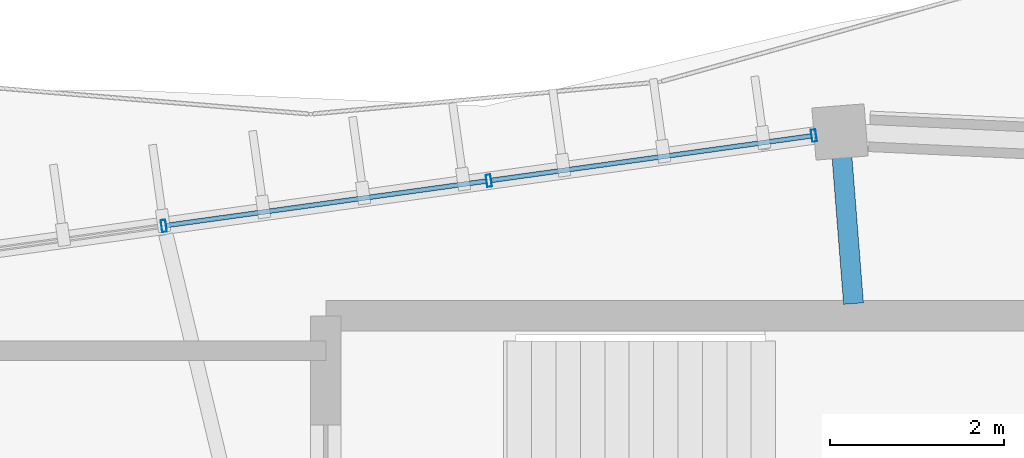
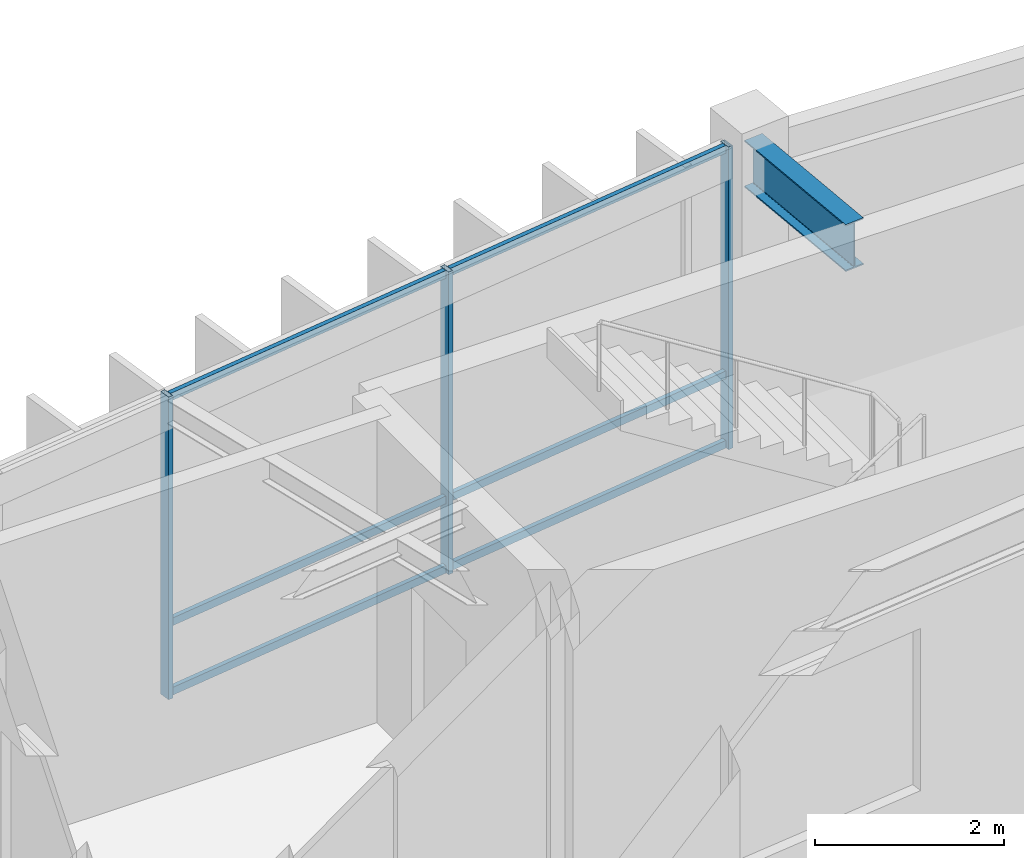
# One storey, part 44 of 83: 9 members, 1 beam, 1 element without a shape of its own.
"""IFC4 building model written with IfcOpenShell, lengths in metres."""

from ifc_helpers import new_model, si_unit, direction, frame, origin, origin_2d, place, context, subcontext, project, spatial, hollow_rectangle, i_section, extrude, material, material_profile, profile_set, type_object, element, aggregate, save


model = new_model("IFC4")

# Units and contexts
model_context = context("Model", 3, precision=1e-05, world=origin(), true_north=direction((0.0, 1.0)))
body_context = subcontext(model_context, "Body", "Model", "MODEL_VIEW")
ifc_project = project(units=[si_unit("LENGTHUNIT", "METRE"), si_unit("AREAUNIT", "SQUARE_METRE"), si_unit("VOLUMEUNIT", "CUBIC_METRE"), si_unit("PLANEANGLEUNIT", "RADIAN"), si_unit("MASSUNIT", "GRAM", prefix="KILO"), si_unit("THERMODYNAMICTEMPERATUREUNIT", "KELVIN"), si_unit("POWERUNIT", "WATT")], contexts=[model_context])

# Site, building, storey
site_placement = place(None, origin())
site = spatial("IfcSite", under=ifc_project, at=site_placement, CompositionType="ELEMENT")
building_placement = place(site_placement, origin())
building = spatial("IfcBuilding", under=site, at=building_placement, Name="Darbajah Civic Hall", CompositionType="ELEMENT")
storey_placement = place(building_placement, frame((0.0, 0.0, 18.0)))
storey = spatial("IfcBuildingStorey", under=building, at=storey_placement, Name="L04", CompositionType="ELEMENT", Elevation=18.0)

# Curtain wall, members
ifc_material_1 = material(Name="Anodised Bronze Aluminium and Low-E Glazing", Category="aluminium")
curtain_wall_type = type_object("IfcCurtainWallType", Name="Unitised Curtain Wall CW-66 15100x3900", PredefinedType="USERDEFINED", material=ifc_material_1)
curtain_wall_placement = place(storey_placement, origin())
curtain_wall = element("IfcCurtainWall", 1, at=curtain_wall_placement, inside=storey, type_object=curtain_wall_type, Name="L04 unitised curtain wall CW-V1O-L04-05", ObjectType="UNITISED CURTAIN WALL", PredefinedType="USERDEFINED")
ifc_material_2 = material(Name="Anodised Bronze Aluminium", Category="aluminium")
ifc_material_profile_1 = material_profile(ifc_material_2, hollow_rectangle(XDim=0.054931640625, YDim=0.139892578125, WallThickness=0.003173828125, at=origin_2d()), Name="ALU MULLION 55x140")
ifc_profile_set_1 = profile_set([ifc_material_profile_1], Name="Anodised Bronze Aluminium")
member_type_1 = type_object("IfcMemberType", Name="ALU MULLION 55x140", PredefinedType="MULLION", material=ifc_profile_set_1)
member_1_placement = place(storey_placement, frame((84.799560546875, 119.16748046875, 0.0), z_axis=(0.0, 0.0, 1.0), x_axis=(-0.990485459553, -0.137617420457, 0.0)))
member_1 = element("IfcMember", 2, at=member_1_placement, type_object=member_type_1, Name="CW-V1O-L04-05 mullion 1", PredefinedType="MULLION", context=body_context, shape_type="SweptSolid", body=[
    extrude(hollow_rectangle(XDim=0.054931640625, YDim=0.139892578125, WallThickness=0.003173828125, at=origin_2d()), origin(), (0.0, 0.0, 1.0), 3.919921875),
])
member_2_placement = place(storey_placement, frame((81.0703125, 118.649658203125, 0.0), z_axis=(0.0, 0.0, 1.0), x_axis=(-0.990485459553, -0.137617420457, 0.0)))
member_2 = element("IfcMember", 3, at=member_2_placement, type_object=member_type_1, Name="CW-V1O-L04-05 mullion 2", PredefinedType="MULLION", context=body_context, shape_type="SweptSolid", body=[
    extrude(hollow_rectangle(XDim=0.054931640625, YDim=0.139892578125, WallThickness=0.003173828125, at=origin_2d()), origin(), (0.0, 0.0, 1.0), 3.919921875),
])
member_3_placement = place(storey_placement, frame((77.3408203125, 118.131591796875, 0.0), z_axis=(0.0, 0.0, 1.0), x_axis=(-0.990485459553, -0.137617420457, 0.0)))
member_3 = element("IfcMember", 4, at=member_3_placement, type_object=member_type_1, Name="CW-V1O-L04-05 mullion 3", PredefinedType="MULLION", context=body_context, shape_type="SweptSolid", body=[
    extrude(hollow_rectangle(XDim=0.054931640625, YDim=0.139892578125, WallThickness=0.003173828125, at=origin_2d()), origin(), (0.0, 0.0, 1.0), 3.919921875),
])
ifc_material_profile_2 = material_profile(ifc_material_2, hollow_rectangle(XDim=0.054931640625, YDim=0.10009765625, WallThickness=0.0029296875, at=origin_2d()), Name="ALU TRANSOM 55x100")
ifc_profile_set_2 = profile_set([ifc_material_profile_2], Name="Anodised Bronze Aluminium")
member_type_2 = type_object("IfcMemberType", Name="ALU TRANSOM 55x100", PredefinedType="USERDEFINED", material=ifc_profile_set_2)
member_4_placement = place(storey_placement, frame((84.767333984375, 119.1630859375, 0.050048828125), z_axis=(-0.990492273178, -0.137568371275, 0.0), x_axis=(0.137568371275, -0.990492273178, 0.0)))
member_4 = element("IfcMember", 5, at=member_4_placement, type_object=member_type_2, Name="CW-V1O-L04-05 transom 1.1", ObjectType="TRANSOM", PredefinedType="USERDEFINED", context=body_context, shape_type="SweptSolid", body=[
    extrude(hollow_rectangle(XDim=0.054931640625, YDim=0.10009765625, WallThickness=0.0029296875, at=origin_2d()), origin(), (0.0, 0.0, 1.0), 3.7001953125),
])
member_5_placement = place(storey_placement, frame((84.767333984375, 119.1630859375, 0.949951171875), z_axis=(-0.990492273178, -0.137568371275, 0.0), x_axis=(0.137568371275, -0.990492273178, 0.0)))
member_5 = element("IfcMember", 6, at=member_5_placement, type_object=member_type_2, Name="CW-V1O-L04-05 transom 1.2", ObjectType="TRANSOM", PredefinedType="USERDEFINED", context=body_context, shape_type="SweptSolid", body=[
    extrude(hollow_rectangle(XDim=0.054931640625, YDim=0.10009765625, WallThickness=0.0029296875, at=origin_2d()), origin(), (0.0, 0.0, 1.0), 3.7001953125),
])
member_6_placement = place(storey_placement, frame((84.767333984375, 119.1630859375, 3.8701171875), z_axis=(-0.990492273178, -0.137568371275, 0.0), x_axis=(0.137568371275, -0.990492273178, 0.0)))
member_6 = element("IfcMember", 7, at=member_6_placement, type_object=member_type_2, Name="CW-V1O-L04-05 transom 1.3", ObjectType="TRANSOM", PredefinedType="USERDEFINED", context=body_context, shape_type="SweptSolid", body=[
    extrude(hollow_rectangle(XDim=0.054931640625, YDim=0.10009765625, WallThickness=0.0029296875, at=origin_2d()), origin(), (0.0, 0.0, 1.0), 3.7001953125),
])
member_7_placement = place(storey_placement, frame((81.0380859375, 118.645263671875, 0.050048828125), z_axis=(-0.990492273178, -0.137568371275, 0.0), x_axis=(0.137568371275, -0.990492273178, 0.0)))
member_7 = element("IfcMember", 8, at=member_7_placement, type_object=member_type_2, Name="CW-V1O-L04-05 transom 2.1", ObjectType="TRANSOM", PredefinedType="USERDEFINED", context=body_context, shape_type="SweptSolid", body=[
    extrude(hollow_rectangle(XDim=0.054931640625, YDim=0.10009765625, WallThickness=0.0029296875, at=origin_2d()), origin(), (0.0, 0.0, 1.0), 3.7001953125),
])
member_8_placement = place(storey_placement, frame((81.0380859375, 118.645263671875, 0.949951171875), z_axis=(-0.990492273178, -0.137568371275, 0.0), x_axis=(0.137568371275, -0.990492273178, 0.0)))
member_8 = element("IfcMember", 9, at=member_8_placement, type_object=member_type_2, Name="CW-V1O-L04-05 transom 2.2", ObjectType="TRANSOM", PredefinedType="USERDEFINED", context=body_context, shape_type="SweptSolid", body=[
    extrude(hollow_rectangle(XDim=0.054931640625, YDim=0.10009765625, WallThickness=0.0029296875, at=origin_2d()), origin(), (0.0, 0.0, 1.0), 3.7001953125),
])
member_9_placement = place(storey_placement, frame((81.0380859375, 118.645263671875, 3.8701171875), z_axis=(-0.990492273178, -0.137568371275, 0.0), x_axis=(0.137568371275, -0.990492273178, 0.0)))
member_9 = element("IfcMember", 10, at=member_9_placement, type_object=member_type_2, Name="CW-V1O-L04-05 transom 2.3", ObjectType="TRANSOM", PredefinedType="USERDEFINED", context=body_context, shape_type="SweptSolid", body=[
    extrude(hollow_rectangle(XDim=0.054931640625, YDim=0.10009765625, WallThickness=0.0029296875, at=origin_2d()), origin(), (0.0, 0.0, 1.0), 3.7001953125),
])
aggregate(curtain_wall, [member_1, member_2, member_3, member_4, member_5, member_6, member_7, member_8, member_9])

# Beam
ifc_material_3 = material(Name="Steel S355JR", Category="steel")
ifc_material_profile_3 = material_profile(ifc_material_3, i_section(OverallWidth=0.228271484375, OverallDepth=0.607666015625, WebThickness=0.010986328125, FlangeThickness=0.017333984375, FilletRadius=0.0126953125, at=origin_2d()), Name="UB 610x229x113")
ifc_profile_set_3 = profile_set([ifc_material_profile_3], Name="Steel S355JR")
beam_type = type_object("IfcBeamType", Name="UB 610x229x113", PredefinedType="BEAM", material=ifc_profile_set_3)
beam_placement = place(storey_placement, frame((85.253662109375, 117.239990234375, 3.6162109375), z_axis=(-0.078449812785, 0.996918064273, 0.0), x_axis=(-0.996918064273, -0.078449812785, 0.0)))
element("IfcBeam", 11, at=beam_placement, inside=storey, type_object=beam_type, Name="L04 beam SB-610", PredefinedType="BEAM", context=body_context, shape_type="SweptSolid", body=[
    extrude(i_section(OverallWidth=0.228271484375, OverallDepth=0.607666015625, WebThickness=0.010986328125, FlangeThickness=0.017333984375, FilletRadius=0.0126953125, at=origin_2d()), origin(), (0.0, 0.0, 1.0), 1.895263671875),
])

save(model, "model.ifc")
